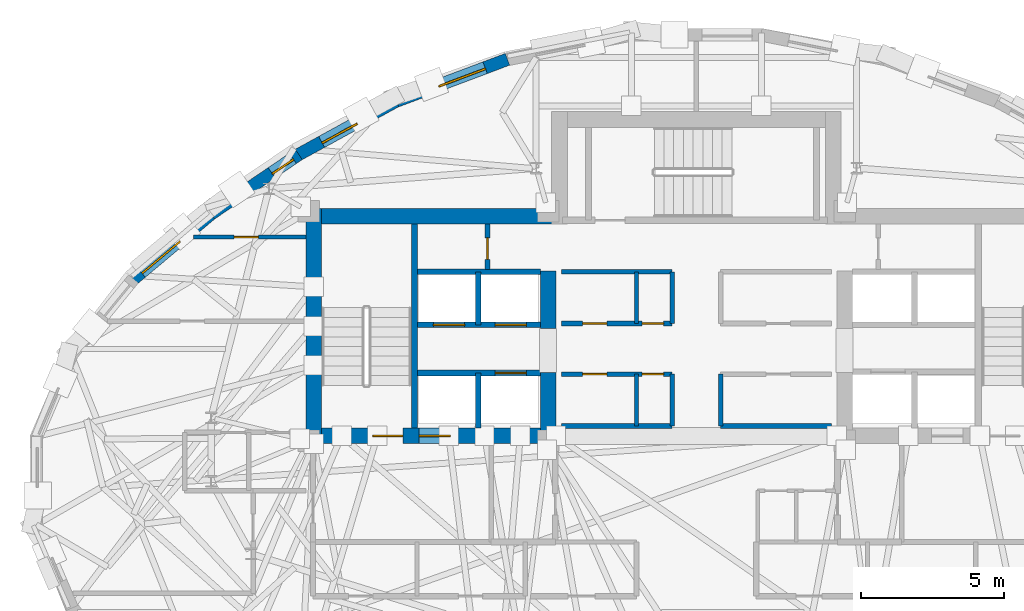
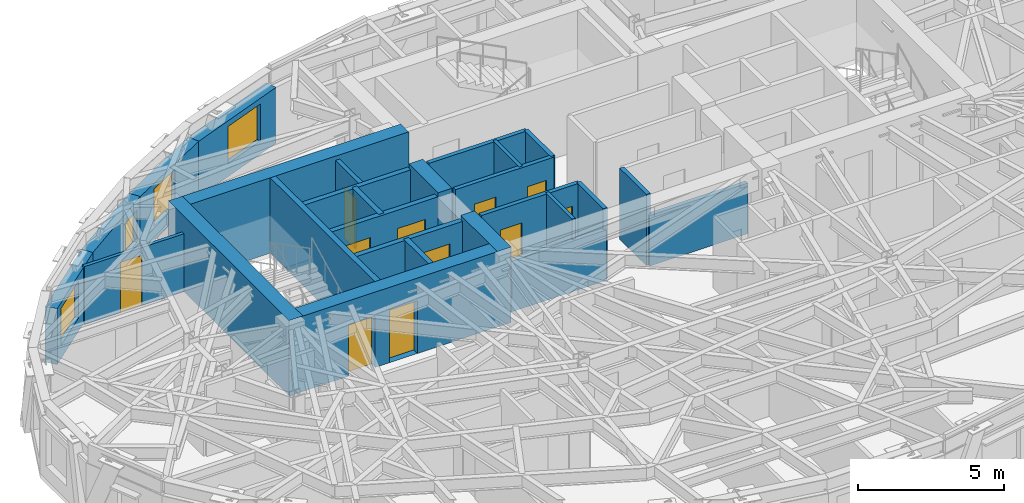
# One storey, part 8 of 14: 27 walls, 11 doors, 4 windows, 15 openings.
"""IFC4 building model written with IfcOpenShell, lengths in metres."""

from ifc_helpers import new_model, si_unit, direction, frame, frame_2d, origin, place, context, subcontext, project, spatial, rectangle, extrude, material, layer, layer_set, type_object, element, fill, save


model = new_model("IFC4")

# Units and contexts
model_context = context("Model", 3, precision=1e-05, world=origin(), true_north=direction((0.0, 1.0)))
body_context = subcontext(model_context, "Body", "Model", "MODEL_VIEW")
ifc_project = project(units=[si_unit("LENGTHUNIT", "METRE"), si_unit("AREAUNIT", "SQUARE_METRE"), si_unit("VOLUMEUNIT", "CUBIC_METRE"), si_unit("PLANEANGLEUNIT", "RADIAN"), si_unit("MASSUNIT", "GRAM", prefix="KILO")], contexts=[model_context])

# Site, building, storey
site_placement = place(None, origin())
site = spatial("IfcSite", under=ifc_project, at=site_placement, CompositionType="ELEMENT")
building_placement = place(site_placement, origin())
building = spatial("IfcBuilding", under=site, at=building_placement, Name="Keldmark Tower", CompositionType="ELEMENT")
storey_placement = place(building_placement, frame((0.0, 0.0, 216.300048828125)))
storey = spatial("IfcBuildingStorey", under=building, at=storey_placement, Name="L60", CompositionType="ELEMENT", Elevation=216.300048828125)

# Walls
ifc_material_1 = material(Name="Concrete C50/60", Category="concrete")
ifc_layer_1 = layer(ifc_material_1, 0.550048828125)
ifc_layer_set_1 = layer_set([ifc_layer_1], Name="Concrete C50/60")
wall_type_1 = type_object("IfcWallType", Name="High-Rise Core Shear Wall 550 mm", PredefinedType="SHEAR", material=ifc_layer_set_1)
wall_1_placement = place(storey_placement, frame((-13.425048828125, 1.300048828125, 0.0), z_axis=(0.0, 0.0, 1.0), x_axis=(0.0, 1.0, 0.0)))
element("IfcWall", 1, at=wall_1_placement, inside=storey, type_object=wall_type_1, Name="L60 West Core Outer Shear Wall", PredefinedType="SHEAR", context=body_context, shape_type="SweptSolid", body=[
    extrude(rectangle(XDim=8.25, YDim=0.550048828125, at=frame_2d((4.125, 0.0))), origin(), (0.0, 0.0, 1.0), 3.14990234375),
])
wall_2_placement = place(storey_placement, frame((-13.699951171875, 9.27490234375, 0.0), z_axis=(0.0, 0.0, 1.0), x_axis=(1.0, 0.0, 0.0)))
element("IfcWall", 2, at=wall_2_placement, inside=storey, type_object=wall_type_1, Name="L60 West Core North Shear Wall", PredefinedType="SHEAR", context=body_context, shape_type="SweptSolid", body=[
    extrude(rectangle(XDim=9.175048828125, YDim=0.550048828125, at=frame_2d((4.58740234375, 0.0))), origin(), (0.0, 0.0, 1.0), 3.14990234375),
])

# Wall, openings, doors
wall_3_placement = place(storey_placement, frame((-4.925048828125, 1.574951171875, 0.0), z_axis=(0.0, 0.0, 1.0), x_axis=(-1.0, 0.0, 0.0)))
wall_3 = element("IfcWall", 3, at=wall_3_placement, inside=storey, type_object=wall_type_1, Name="L60 West Core South Shear Wall", PredefinedType="SHEAR", context=body_context, shape_type="SweptSolid", body=[
    extrude(rectangle(XDim=8.77490234375, YDim=0.550048828125, at=frame_2d((4.387451171875, 0.0))), origin(), (0.0, 0.0, 1.0), 3.14990234375),
])
opening_1_placement = place(wall_3_placement, frame((5.375, 0.0, 0.0)))
opening_1 = element("IfcOpeningElement", 4, at=opening_1_placement, cuts=wall_3, Name="Opening D-ST105", PredefinedType="OPENING", context=body_context, shape_type="SweptSolid", body=[
    extrude(rectangle(XDim=1.050048828125, YDim=2.14990234375, at=frame_2d((0.52490234375, 1.074951171875))), frame((0.0, 0.284912109375, 0.0), z_axis=(0.0, -1.0, 0.0), x_axis=(1.0, 0.0, 0.0)), (0.0, 0.0, 1.0), 0.570068359375),
])
opening_2_placement = place(wall_3_placement, frame((3.705078125, 0.0, 0.0)))
opening_2 = element("IfcOpeningElement", 5, at=opening_2_placement, cuts=wall_3, Name="Opening LD-110", PredefinedType="OPENING", context=body_context, shape_type="SweptSolid", body=[
    extrude(rectangle(XDim=1.10009765625, YDim=2.199951171875, at=frame_2d((0.550048828125, 1.10009765625))), frame((0.0, 0.284912109375, 0.0), z_axis=(0.0, -1.0, 0.0), x_axis=(1.0, 0.0, 0.0)), (0.0, 0.0, 1.0), 0.570068359375),
])
ifc_material_2 = material(Name="Brushed Bronze Hoistway Sliding Leaf", Category="metal")
door_type_1 = type_object("IfcDoorType", Name="Lift Landing Sliding Door 1100x2200", OperationType="SLIDING_TO_LEFT", PredefinedType="DOOR", material=ifc_material_2)
door_1_placement = place(opening_2_placement, origin())
door_1 = element("IfcDoor", 6, at=door_1_placement, inside=storey, type_object=door_type_1, Name="L60 Lift Landing Sliding Door 1100x2200 LD-EL-FS1-L60", OperationType="SLIDING_TO_LEFT", OverallHeight=2.199951171875, OverallWidth=1.10009765625, PredefinedType="DOOR", context=body_context, shape_type="SweptSolid", body=[
    extrude(rectangle(XDim=1.10009765625, YDim=2.199951171875, at=frame_2d((0.550048828125, 1.10009765625))), frame((0.0, 0.02490234375, 0.0), z_axis=(0.0, -1.0, 0.0), x_axis=(1.0, 0.0, 0.0)), (0.0, 0.0, 1.0), 0.050048828125),
])
fill(opening_2, door_1)
ifc_material_3 = material(Name="Hollow Metal Fire-Rated Door Assembly", Category="metal")
door_type_2 = type_object("IfcDoorType", Name="Stair Fire Door 1050x2150", OperationType="NOTDEFINED", PredefinedType="DOOR", material=ifc_material_3)
door_2_placement = place(opening_1_placement, origin())
door_2 = element("IfcDoor", 7, at=door_2_placement, inside=storey, type_object=door_type_2, Name="L60 Stair Fire Door 1050x2150 D-ST1-L60", OperationType="SINGLE_SWING_RIGHT", OverallHeight=2.14990234375, OverallWidth=1.050048828125, PredefinedType="DOOR", context=body_context, shape_type="SweptSolid", body=[
    extrude(rectangle(XDim=1.050048828125, YDim=2.14990234375, at=frame_2d((0.52490234375, 1.074951171875))), frame((0.0, 0.02490234375, 0.0), z_axis=(0.0, -1.0, 0.0), x_axis=(1.0, 0.0, 0.0)), (0.0, 0.0, 1.0), 0.050048828125),
])
fill(opening_1, door_2)

# Walls
wall_4_placement = place(storey_placement, frame((-5.199951171875, 1.300048828125, 0.0), z_axis=(0.0, 0.0, 1.0), x_axis=(0.0, 1.0, 0.0)))
element("IfcWall", 8, at=wall_4_placement, inside=storey, type_object=wall_type_1, Name="L60 West Core Inner Shear Pier South", PredefinedType="SHEAR", context=body_context, shape_type="SweptSolid", body=[
    extrude(rectangle(XDim=2.5, YDim=0.550048828125, at=frame_2d((1.25, 0.0))), origin(), (0.0, 0.0, 1.0), 3.14990234375),
])
wall_5_placement = place(storey_placement, frame((-5.199951171875, 5.35009765625, 0.0), z_axis=(0.0, 0.0, 1.0), x_axis=(0.0, 1.0, 0.0)))
element("IfcWall", 9, at=wall_5_placement, inside=storey, type_object=wall_type_1, Name="L60 West Core Inner Shear Pier North", PredefinedType="SHEAR", context=body_context, shape_type="SweptSolid", body=[
    extrude(rectangle(XDim=2.0, YDim=0.550048828125, at=frame_2d((1.0, 0.0))), origin(), (0.0, 0.0, 1.0), 3.14990234375),
])
ifc_material_4 = material(Name="Acoustic Gypsum Board Interior Partition", Category="gypsum")
ifc_layer_2 = layer(ifc_material_4, 0.1298828125)
ifc_layer_set_2 = layer_set([ifc_layer_2], Name="Acoustic Gypsum Board Interior Partition")
wall_type_2 = type_object("IfcWallType", Name="Interior Partition 130 mm", PredefinedType="PARTITIONING", material=ifc_layer_set_2)
wall_6_placement = place(storey_placement, frame((-2.10009765625, 1.919921875, 0.0), z_axis=(0.0, 0.0, 1.0), x_axis=(0.0, 1.0, 0.0)))
element("IfcWall", 10, at=wall_6_placement, inside=storey, type_object=wall_type_2, Name="L60 Interior Partition 130 mm REC-LW-M", PredefinedType="PARTITIONING", context=body_context, shape_type="SweptSolid", body=[
    extrude(rectangle(XDim=1.820068359375, YDim=0.1298828125, at=frame_2d((0.91015625, 0.0))), origin(), (0.0, 0.0, 1.0), 2.969970703125),
])
wall_7_placement = place(storey_placement, frame((-2.10009765625, 5.52001953125, 0.0), z_axis=(0.0, 0.0, 1.0), x_axis=(0.0, 1.0, 0.0)))
element("IfcWall", 11, at=wall_7_placement, inside=storey, type_object=wall_type_2, Name="L60 Interior Partition 130 mm REC-MW-M", PredefinedType="PARTITIONING", context=body_context, shape_type="SweptSolid", body=[
    extrude(rectangle(XDim=1.81005859375, YDim=0.1298828125, at=frame_2d((0.905029296875, 0.0))), origin(), (0.0, 0.0, 1.0), 2.969970703125),
])

# Wall, opening, door
wall_8_placement = place(storey_placement, frame((-17.6357421875, 8.550048828125, 0.0), z_axis=(0.0, 0.0, 1.0), x_axis=(1.0, 0.0, 0.0)))
wall_8 = element("IfcWall", 12, at=wall_8_placement, inside=storey, type_object=wall_type_2, Name="L60 Interior Partition 130 mm UC-NDIV2", PredefinedType="PARTITIONING", context=body_context, shape_type="SweptSolid", body=[
    extrude(rectangle(XDim=3.935791015625, YDim=0.1298828125, at=frame_2d((1.9677734375, 0.0))), origin(), (0.0, 0.0, 1.0), 2.4228515625),
])
opening_3_placement = place(wall_8_placement, frame((1.422607421875, 0.0, 0.0)))
opening_3 = element("IfcOpeningElement", 13, at=opening_3_placement, cuts=wall_8, Name="Opening D-IN085", PredefinedType="OPENING", context=body_context, shape_type="SweptSolid", body=[
    extrude(rectangle(XDim=0.85009765625, YDim=2.10009765625, at=frame_2d((0.425048828125, 1.050048828125))), frame((0.0, 0.074951171875, 0.0), z_axis=(0.0, -1.0, 0.0), x_axis=(1.0, 0.0, 0.0)), (0.0, 0.0, 1.0), 0.14990234375),
])
ifc_material_5 = material(Name="Painted Architectural Wood", Category="wood")
door_type_3 = type_object("IfcDoorType", Name="Interior Door 850x2100", OperationType="NOTDEFINED", PredefinedType="DOOR", material=ifc_material_5)
door_3_placement = place(opening_3_placement, origin())
door_3 = element("IfcDoor", 14, at=door_3_placement, inside=storey, type_object=door_type_3, Name="L60 Interior Door 850x2100 D-UC-BR2-L60", OperationType="SINGLE_SWING_RIGHT", OverallHeight=2.10009765625, OverallWidth=0.85009765625, PredefinedType="DOOR", context=body_context, shape_type="SweptSolid", body=[
    extrude(rectangle(XDim=0.85009765625, YDim=2.10009765625, at=frame_2d((0.425048828125, 1.050048828125))), frame((0.0, 0.02490234375, 0.0), z_axis=(0.0, -1.0, 0.0), x_axis=(1.0, 0.0, 0.0)), (0.0, 0.0, 1.0), 0.050048828125),
])
fill(opening_3, door_3)

# Wall
ifc_material_6 = material(Name="Type X Fire-Rated Gypsum Partition Assembly", Category="gypsum")
ifc_layer_3 = layer(ifc_material_6, 0.1650390625)
ifc_layer_set_3 = layer_set([ifc_layer_3], Name="Type X Fire-Rated Gypsum Partition Assembly")
wall_type_3 = type_object("IfcWallType", Name="Rated Partition 165 mm", PredefinedType="PARTITIONING", material=ifc_layer_set_3)
wall_9_placement = place(storey_placement, frame((-4.739990234375, 1.919921875, 0.0), z_axis=(0.0, 0.0, 1.0), x_axis=(1.0, 0.0, 0.0)))
element("IfcWall", 15, at=wall_9_placement, inside=storey, type_object=wall_type_3, Name="L60 Rated Partition 165 mm REC-LW-S", PredefinedType="PARTITIONING", context=body_context, shape_type="SweptSolid", body=[
    extrude(rectangle(XDim=3.889892578125, YDim=0.1650390625, at=frame_2d((1.94482421875, 0.0))), origin(), (0.0, 0.0, 1.0), 2.10986328125),
])

# Wall, openings, doors
wall_10_placement = place(storey_placement, frame((-4.739990234375, 3.739990234375, 0.0), z_axis=(0.0, 0.0, 1.0), x_axis=(1.0, 0.0, 0.0)))
wall_10 = element("IfcWall", 16, at=wall_10_placement, inside=storey, type_object=wall_type_3, Name="L60 Rated Partition 165 mm REC-LW-N", PredefinedType="PARTITIONING", context=body_context, shape_type="SweptSolid", body=[
    extrude(rectangle(XDim=3.889892578125, YDim=0.1650390625, at=frame_2d((1.94482421875, 0.0))), origin(), (0.0, 0.0, 1.0), 2.969970703125),
])
opening_4_placement = place(wall_10_placement, frame((0.75, 0.0, 0.0)))
opening_4 = element("IfcOpeningElement", 17, at=opening_4_placement, cuts=wall_10, Name="Opening D-SV085", PredefinedType="OPENING", context=body_context, shape_type="SweptSolid", body=[
    extrude(rectangle(XDim=0.85009765625, YDim=2.10009765625, at=frame_2d((0.425048828125, 1.050048828125))), frame((0.0, 0.092529296875, 0.0), z_axis=(0.0, -1.0, 0.0), x_axis=(1.0, 0.0, 0.0)), (0.0, 0.0, 1.0), 0.18505859375),
])
opening_5_placement = place(wall_10_placement, frame((2.840087890625, 0.0, 0.0)))
opening_5 = element("IfcOpeningElement", 18, at=opening_5_placement, cuts=wall_10, Name="Opening D-RS075", PredefinedType="OPENING", context=body_context, shape_type="SweptSolid", body=[
    extrude(rectangle(XDim=0.75, YDim=2.10009765625, at=frame_2d((0.375, 1.050048828125))), frame((0.0, 0.092529296875, 0.0), z_axis=(0.0, -1.0, 0.0), x_axis=(1.0, 0.0, 0.0)), (0.0, 0.0, 1.0), 0.18505859375),
])
ifc_material_7 = material(Name="Galvanized Fire-Rated Access Leaf", Category="metal")
door_type_4 = type_object("IfcDoorType", Name="Riser Access Door 750x2100", OperationType="NOTDEFINED", PredefinedType="DOOR", material=ifc_material_7)
door_4_placement = place(opening_5_placement, origin())
door_4 = element("IfcDoor", 19, at=door_4_placement, inside=storey, type_object=door_type_4, Name="L60 Riser Access Door 750x2100 D-RECLW2-L60", OperationType="SINGLE_SWING_RIGHT", OverallHeight=2.10009765625, OverallWidth=0.75, PredefinedType="DOOR", context=body_context, shape_type="SweptSolid", body=[
    extrude(rectangle(XDim=0.75, YDim=2.10009765625, at=frame_2d((0.375, 1.050048828125))), frame((0.0, 0.02490234375, 0.0), z_axis=(0.0, -1.0, 0.0), x_axis=(1.0, 0.0, 0.0)), (0.0, 0.0, 1.0), 0.050048828125),
])
fill(opening_5, door_4)
ifc_material_8 = material(Name="Painted Hollow Metal Door Assembly", Category="metal")
door_type_5 = type_object("IfcDoorType", Name="Service Door 850x2100", OperationType="NOTDEFINED", PredefinedType="DOOR", material=ifc_material_8)
door_5_placement = place(opening_4_placement, origin())
door_5 = element("IfcDoor", 20, at=door_5_placement, inside=storey, type_object=door_type_5, Name="L60 Service Door 850x2100 D-RECLW1-L60", OperationType="SINGLE_SWING_LEFT", OverallHeight=2.10009765625, OverallWidth=0.85009765625, PredefinedType="DOOR", context=body_context, shape_type="SweptSolid", body=[
    extrude(rectangle(XDim=0.85009765625, YDim=2.10009765625, at=frame_2d((0.425048828125, 1.050048828125))), frame((0.0, 0.02490234375, 0.0), z_axis=(0.0, -1.0, 0.0), x_axis=(1.0, 0.0, 0.0)), (0.0, 0.0, 1.0), 0.050048828125),
])
fill(opening_4, door_5)

# Walls
wall_11_placement = place(storey_placement, frame((-0.85009765625, 1.919921875, 0.0), z_axis=(0.0, 0.0, 1.0), x_axis=(0.0, 1.0, 0.0)))
element("IfcWall", 21, at=wall_11_placement, inside=storey, type_object=wall_type_3, Name="L60 Rated Partition 165 mm REC-LW-E", PredefinedType="PARTITIONING", context=body_context, shape_type="SweptSolid", body=[
    extrude(rectangle(XDim=1.820068359375, YDim=0.1650390625, at=frame_2d((0.91015625, 0.0))), origin(), (0.0, 0.0, 1.0), 2.969970703125),
])
wall_12_placement = place(storey_placement, frame((0.85009765625, 1.919921875, 0.0), z_axis=(0.0, 0.0, 1.0), x_axis=(1.0, 0.0, 0.0)))
element("IfcWall", 22, at=wall_12_placement, inside=storey, type_object=wall_type_3, Name="L60 Rated Partition 165 mm REC-LE-S", PredefinedType="PARTITIONING", context=body_context, shape_type="SweptSolid", body=[
    extrude(rectangle(XDim=3.889892578125, YDim=0.1650390625, at=frame_2d((1.94482421875, 0.0))), origin(), (0.0, 0.0, 1.0), 2.10986328125),
])
wall_13_placement = place(storey_placement, frame((0.85009765625, 1.919921875, 0.0), z_axis=(0.0, 0.0, 1.0), x_axis=(0.0, 1.0, 0.0)))
element("IfcWall", 23, at=wall_13_placement, inside=storey, type_object=wall_type_3, Name="L60 Rated Partition 165 mm REC-LE-W", PredefinedType="PARTITIONING", context=body_context, shape_type="SweptSolid", body=[
    extrude(rectangle(XDim=1.820068359375, YDim=0.1650390625, at=frame_2d((0.91015625, 0.0))), origin(), (0.0, 0.0, 1.0), 2.969970703125),
])

# Wall, openings, doors
wall_14_placement = place(storey_placement, frame((-4.739990234375, 5.52001953125, 0.0), z_axis=(0.0, 0.0, 1.0), x_axis=(1.0, 0.0, 0.0)))
wall_14 = element("IfcWall", 24, at=wall_14_placement, inside=storey, type_object=wall_type_3, Name="L60 Rated Partition 165 mm REC-MW-S", PredefinedType="PARTITIONING", context=body_context, shape_type="SweptSolid", body=[
    extrude(rectangle(XDim=3.889892578125, YDim=0.1650390625, at=frame_2d((1.94482421875, 0.0))), origin(), (0.0, 0.0, 1.0), 2.969970703125),
])
opening_6_placement = place(wall_14_placement, frame((0.75, 0.0, 0.0)))
opening_6 = element("IfcOpeningElement", 25, at=opening_6_placement, cuts=wall_14, Name="Opening D-SV085", PredefinedType="OPENING", context=body_context, shape_type="SweptSolid", body=[
    extrude(rectangle(XDim=0.85009765625, YDim=2.10009765625, at=frame_2d((0.425048828125, 1.050048828125))), frame((0.0, 0.092529296875, 0.0), z_axis=(0.0, -1.0, 0.0), x_axis=(1.0, 0.0, 0.0)), (0.0, 0.0, 1.0), 0.18505859375),
])
opening_7_placement = place(wall_14_placement, frame((2.840087890625, 0.0, 0.0)))
opening_7 = element("IfcOpeningElement", 26, at=opening_7_placement, cuts=wall_14, Name="Opening D-RS075", PredefinedType="OPENING", context=body_context, shape_type="SweptSolid", body=[
    extrude(rectangle(XDim=0.75, YDim=2.10009765625, at=frame_2d((0.375, 1.050048828125))), frame((0.0, 0.092529296875, 0.0), z_axis=(0.0, -1.0, 0.0), x_axis=(1.0, 0.0, 0.0)), (0.0, 0.0, 1.0), 0.18505859375),
])
door_6_placement = place(opening_7_placement, origin())
door_6 = element("IfcDoor", 27, at=door_6_placement, inside=storey, type_object=door_type_4, Name="L60 Riser Access Door 750x2100 D-RECMW2-L60", OperationType="SINGLE_SWING_RIGHT", OverallHeight=2.10009765625, OverallWidth=0.75, PredefinedType="DOOR", context=body_context, shape_type="SweptSolid", body=[
    extrude(rectangle(XDim=0.75, YDim=2.10009765625, at=frame_2d((0.375, 1.050048828125))), frame((0.0, 0.02490234375, 0.0), z_axis=(0.0, -1.0, 0.0), x_axis=(1.0, 0.0, 0.0)), (0.0, 0.0, 1.0), 0.050048828125),
])
fill(opening_7, door_6)
door_7_placement = place(opening_6_placement, origin())
door_7 = element("IfcDoor", 28, at=door_7_placement, inside=storey, type_object=door_type_5, Name="L60 Service Door 850x2100 D-RECMW1-L60", OperationType="SINGLE_SWING_LEFT", OverallHeight=2.10009765625, OverallWidth=0.85009765625, PredefinedType="DOOR", context=body_context, shape_type="SweptSolid", body=[
    extrude(rectangle(XDim=0.85009765625, YDim=2.10009765625, at=frame_2d((0.425048828125, 1.050048828125))), frame((0.0, 0.02490234375, 0.0), z_axis=(0.0, -1.0, 0.0), x_axis=(1.0, 0.0, 0.0)), (0.0, 0.0, 1.0), 0.050048828125),
])
fill(opening_6, door_7)

# Walls
wall_15_placement = place(storey_placement, frame((-4.739990234375, 7.330078125, 0.0), z_axis=(0.0, 0.0, 1.0), x_axis=(1.0, 0.0, 0.0)))
element("IfcWall", 29, at=wall_15_placement, inside=storey, type_object=wall_type_3, Name="L60 Rated Partition 165 mm REC-MW-N", PredefinedType="PARTITIONING", context=body_context, shape_type="SweptSolid", body=[
    extrude(rectangle(XDim=3.889892578125, YDim=0.1650390625, at=frame_2d((1.94482421875, 0.0))), origin(), (0.0, 0.0, 1.0), 2.969970703125),
])
wall_16_placement = place(storey_placement, frame((-0.85009765625, 5.52001953125, 0.0), z_axis=(0.0, 0.0, 1.0), x_axis=(0.0, 1.0, 0.0)))
element("IfcWall", 30, at=wall_16_placement, inside=storey, type_object=wall_type_3, Name="L60 Rated Partition 165 mm REC-MW-E", PredefinedType="PARTITIONING", context=body_context, shape_type="SweptSolid", body=[
    extrude(rectangle(XDim=1.81005859375, YDim=0.1650390625, at=frame_2d((0.905029296875, 0.0))), origin(), (0.0, 0.0, 1.0), 2.969970703125),
])

# Wall, opening, door
wall_17_placement = place(storey_placement, frame((-7.330078125, 7.419921875, 0.0), z_axis=(0.0, 0.0, 1.0), x_axis=(0.0, 1.0, 0.0)))
wall_17 = element("IfcWall", 31, at=wall_17_placement, inside=storey, type_object=wall_type_3, Name="L60 Rated Partition 165 mm CS-NW-E", PredefinedType="PARTITIONING", context=body_context, shape_type="SweptSolid", body=[
    extrude(rectangle(XDim=1.580078125, YDim=0.1650390625, at=frame_2d((0.7900390625, 0.0))), origin(), (0.0, 0.0, 1.0), 2.969970703125),
])
opening_8_placement = place(wall_17_placement, frame((0.35009765625, 0.0, 0.0)))
opening_8 = element("IfcOpeningElement", 32, at=opening_8_placement, cuts=wall_17, Name="Opening D-RS075", PredefinedType="OPENING", context=body_context, shape_type="SweptSolid", body=[
    extrude(rectangle(XDim=0.75, YDim=2.10009765625, at=frame_2d((0.375, 1.050048828125))), frame((0.0, 0.092529296875, 0.0), z_axis=(0.0, -1.0, 0.0), x_axis=(1.0, 0.0, 0.0)), (0.0, 0.0, 1.0), 0.18505859375),
])
door_8_placement = place(opening_8_placement, origin())
door_8 = element("IfcDoor", 33, at=door_8_placement, inside=storey, type_object=door_type_4, Name="L60 Riser Access Door 750x2100 D-CSNW1-L60", OperationType="SINGLE_SWING_RIGHT", OverallHeight=2.10009765625, OverallWidth=0.75, PredefinedType="DOOR", context=body_context, shape_type="SweptSolid", body=[
    extrude(rectangle(XDim=0.75, YDim=2.10009765625, at=frame_2d((0.375, 1.050048828125))), frame((0.0, 0.02490234375, 0.0), z_axis=(0.0, -1.0, 0.0), x_axis=(1.0, 0.0, 0.0)), (0.0, 0.0, 1.0), 0.050048828125),
])
fill(opening_8, door_8)

ifc_material_9 = material(Name="Fire-Resistant Type X Gypsum Shaftliner Coreboard", Category="gypsum")
ifc_layer_4 = layer(ifc_material_9, 0.199951171875)
ifc_layer_set_4 = layer_set([ifc_layer_4], Name="Fire-Resistant Type X Gypsum Shaftliner Coreboard")
wall_type_4 = type_object("IfcWallType", Name="Shaft Wall 200 mm", PredefinedType="SOLIDWALL", material=ifc_layer_set_4)
wall_18_placement = place(storey_placement, frame((-9.780029296875, 3.780029296875, 0.0), z_axis=(0.0, 0.0, 1.0), x_axis=(1.0, 0.0, 0.0)))
wall_18 = element("IfcWall", 34, at=wall_18_placement, inside=storey, type_object=wall_type_4, Name="L60 Shaft Wall 200 mm HW-W-S", PredefinedType="SOLIDWALL", context=body_context, shape_type="SweptSolid", body=[
    extrude(rectangle(XDim=4.304931640625, YDim=0.199951171875, at=frame_2d((2.15234375, 0.0))), origin(), (0.0, 0.0, 1.0), 2.969970703125),
])
opening_9_placement = place(wall_18_placement, frame((2.719970703125, 0.0, 0.0)))
opening_9 = element("IfcOpeningElement", 35, at=opening_9_placement, cuts=wall_18, Name="Opening LD-110", PredefinedType="OPENING", context=body_context, shape_type="SweptSolid", body=[
    extrude(rectangle(XDim=1.10009765625, YDim=2.199951171875, at=frame_2d((0.550048828125, 1.10009765625))), frame((0.0, 0.10986328125, 0.0), z_axis=(0.0, -1.0, 0.0), x_axis=(1.0, 0.0, 0.0)), (0.0, 0.0, 1.0), 0.219970703125),
])
door_9_placement = place(opening_9_placement, origin())
door_9 = element("IfcDoor", 36, at=door_9_placement, inside=storey, type_object=door_type_1, Name="L60 Lift Landing Sliding Door 1100x2200 LD-EL-H3-L60", OperationType="SLIDING_TO_LEFT", OverallHeight=2.199951171875, OverallWidth=1.10009765625, PredefinedType="DOOR", context=body_context, shape_type="SweptSolid", body=[
    extrude(rectangle(XDim=1.10009765625, YDim=2.199951171875, at=frame_2d((0.550048828125, 1.10009765625))), frame((0.0, 0.02490234375, 0.0), z_axis=(0.0, -1.0, 0.0), x_axis=(1.0, 0.0, 0.0)), (0.0, 0.0, 1.0), 0.050048828125),
])
fill(opening_9, door_9)

# Wall
wall_19_placement = place(storey_placement, frame((-7.64990234375, 1.85009765625, 0.0), z_axis=(0.0, 0.0, 1.0), x_axis=(0.0, 1.0, 0.0)))
element("IfcWall", 37, at=wall_19_placement, inside=storey, type_object=wall_type_4, Name="L60 Shaft Wall 200 mm HW-W-M", PredefinedType="SOLIDWALL", context=body_context, shape_type="SweptSolid", body=[
    extrude(rectangle(XDim=1.929931640625, YDim=0.199951171875, at=frame_2d((0.96484375, 0.0))), origin(), (0.0, 0.0, 1.0), 2.969970703125),
])

# Wall, openings, doors
wall_20_placement = place(storey_placement, frame((-9.780029296875, 5.469970703125, 0.0), z_axis=(0.0, 0.0, 1.0), x_axis=(1.0, 0.0, 0.0)))
wall_20 = element("IfcWall", 38, at=wall_20_placement, inside=storey, type_object=wall_type_4, Name="L60 Shaft Wall 200 mm HW-W-N", PredefinedType="SOLIDWALL", context=body_context, shape_type="SweptSolid", body=[
    extrude(rectangle(XDim=4.304931640625, YDim=0.199951171875, at=frame_2d((2.15234375, 0.0))), origin(), (0.0, 0.0, 1.0), 2.969970703125),
])
opening_10_placement = place(wall_20_placement, frame((0.550048828125, 0.0, 0.0)))
opening_10 = element("IfcOpeningElement", 39, at=opening_10_placement, cuts=wall_20, Name="Opening LD-110", PredefinedType="OPENING", context=body_context, shape_type="SweptSolid", body=[
    extrude(rectangle(XDim=1.10009765625, YDim=2.199951171875, at=frame_2d((0.550048828125, 1.10009765625))), frame((0.0, 0.10986328125, 0.0), z_axis=(0.0, -1.0, 0.0), x_axis=(1.0, 0.0, 0.0)), (0.0, 0.0, 1.0), 0.219970703125),
])
opening_11_placement = place(wall_20_placement, frame((2.719970703125, 0.0, 0.0)))
opening_11 = element("IfcOpeningElement", 40, at=opening_11_placement, cuts=wall_20, Name="Opening LD-110", PredefinedType="OPENING", context=body_context, shape_type="SweptSolid", body=[
    extrude(rectangle(XDim=1.10009765625, YDim=2.199951171875, at=frame_2d((0.550048828125, 1.10009765625))), frame((0.0, 0.10986328125, 0.0), z_axis=(0.0, -1.0, 0.0), x_axis=(1.0, 0.0, 0.0)), (0.0, 0.0, 1.0), 0.219970703125),
])
door_10_placement = place(opening_10_placement, origin())
door_10 = element("IfcDoor", 41, at=door_10_placement, inside=storey, type_object=door_type_1, Name="L60 Lift Landing Sliding Door 1100x2200 LD-EL-H1-L60", OperationType="SLIDING_TO_LEFT", OverallHeight=2.199951171875, OverallWidth=1.10009765625, PredefinedType="DOOR", context=body_context, shape_type="SweptSolid", body=[
    extrude(rectangle(XDim=1.10009765625, YDim=2.199951171875, at=frame_2d((0.550048828125, 1.10009765625))), frame((0.0, 0.02490234375, 0.0), z_axis=(0.0, -1.0, 0.0), x_axis=(1.0, 0.0, 0.0)), (0.0, 0.0, 1.0), 0.050048828125),
])
fill(opening_10, door_10)
door_11_placement = place(opening_11_placement, origin())
door_11 = element("IfcDoor", 42, at=door_11_placement, inside=storey, type_object=door_type_1, Name="L60 Lift Landing Sliding Door 1100x2200 LD-EL-H2-L60", OperationType="SLIDING_TO_LEFT", OverallHeight=2.199951171875, OverallWidth=1.10009765625, PredefinedType="DOOR", context=body_context, shape_type="SweptSolid", body=[
    extrude(rectangle(XDim=1.10009765625, YDim=2.199951171875, at=frame_2d((0.550048828125, 1.10009765625))), frame((0.0, 0.02490234375, 0.0), z_axis=(0.0, -1.0, 0.0), x_axis=(1.0, 0.0, 0.0)), (0.0, 0.0, 1.0), 0.050048828125),
])
fill(opening_11, door_11)

# Walls
wall_21_placement = place(storey_placement, frame((-9.780029296875, 7.330078125, 0.0), z_axis=(0.0, 0.0, 1.0), x_axis=(1.0, 0.0, 0.0)))
element("IfcWall", 43, at=wall_21_placement, inside=storey, type_object=wall_type_4, Name="L60 Shaft Wall 200 mm HW-W-TOP", PredefinedType="SOLIDWALL", context=body_context, shape_type="SweptSolid", body=[
    extrude(rectangle(XDim=4.304931640625, YDim=0.199951171875, at=frame_2d((2.15234375, 0.0))), origin(), (0.0, 0.0, 1.0), 2.969970703125),
])
wall_22_placement = place(storey_placement, frame((-7.64990234375, 5.469970703125, 0.0), z_axis=(0.0, 0.0, 1.0), x_axis=(0.0, 1.0, 0.0)))
element("IfcWall", 44, at=wall_22_placement, inside=storey, type_object=wall_type_4, Name="L60 Shaft Wall 200 mm HW-W-NM", PredefinedType="SOLIDWALL", context=body_context, shape_type="SweptSolid", body=[
    extrude(rectangle(XDim=1.860107421875, YDim=0.199951171875, at=frame_2d((0.93017578125, 0.0))), origin(), (0.0, 0.0, 1.0), 2.969970703125),
])
ifc_material_10 = material(Name="Concrete C50/60", Category="concrete")
ifc_layer_5 = layer(ifc_material_10, 0.219970703125)
ifc_layer_set_5 = layer_set([ifc_layer_5], Name="Concrete C50/60")
wall_type_5 = type_object("IfcWallType", Name="Stair Core Shear Wall 220 mm", PredefinedType="SHEAR", material=ifc_layer_set_5)
wall_23_placement = place(storey_placement, frame((-9.889892578125, 1.85009765625, 0.0), z_axis=(0.0, 0.0, 1.0), x_axis=(0.0, 1.0, 0.0)))
element("IfcWall", 45, at=wall_23_placement, inside=storey, type_object=wall_type_5, Name="L60 West Stair Core Shear Wall", PredefinedType="SHEAR", context=body_context, shape_type="SweptSolid", body=[
    extrude(rectangle(XDim=7.14990234375, YDim=0.219970703125, at=frame_2d((3.574951171875, 0.0))), origin(), (0.0, 0.0, 1.0), 3.14990234375),
])

# Wall, opening, window
ifc_material_11 = material(Name="Ironspot Manganese Brick and Kasota Buff Limestone Spandrel Assembly", Category="masonry")
ifc_layer_6 = layer(ifc_material_11, 0.43994140625)
ifc_layer_set_6 = layer_set([ifc_layer_6], Name="Ironspot Manganese Brick and Kasota Buff Limestone Spandrel Assembly")
wall_type_6 = type_object("IfcWallType", Name="Tower Brick Pier and Spandrel Wall 440 mm", PredefinedType="STANDARD", material=ifc_layer_set_6)
wall_24_placement = place(storey_placement, frame((-10.568603515625, 13.302490234375, 0.0), z_axis=(0.0, 0.0, 1.0), x_axis=(0.936069207768, 0.351815915314, 0.0)))
wall_24 = element("IfcWall", 46, at=wall_24_placement, inside=storey, type_object=wall_type_6, Name="L60 Exterior Brick and Spandrel Wall 10", PredefinedType="STANDARD", context=body_context, shape_type="SweptSolid", body=[
    extrude(rectangle(XDim=4.2109375, YDim=0.43994140625, at=frame_2d((2.10546875, 0.0))), origin(), (0.0, 0.0, 1.0), 2.3359375),
])
opening_12_placement = place(wall_24_placement, frame((1.623046875, 0.0, 0.550048828125)))
opening_12 = element("IfcOpeningElement", 47, at=opening_12_placement, cuts=wall_24, Name="Opening W-05", PredefinedType="OPENING", context=body_context, shape_type="SweptSolid", body=[
    extrude(rectangle(XDim=1.75, YDim=1.550048828125, at=frame_2d((0.875, 0.77490234375))), frame((0.0, 0.22998046875, 0.0), z_axis=(0.0, -1.0, 0.0), x_axis=(1.0, 0.0, 0.0)), (0.0, 0.0, 1.0), 0.4599609375),
])
ifc_material_12 = material(Name="Thermally Broken Anodized Aluminum and Triple Low-E Argon Glazing", Category="aluminium")
window_type_1 = type_object("IfcWindowType", Name="Residential Deep-Set Window 1750x1550", PartitioningType="DOUBLE_PANEL_VERTICAL", PredefinedType="WINDOW", material=ifc_material_12)
window_1_placement = place(opening_12_placement, origin())
window_1 = element("IfcWindow", 48, at=window_1_placement, inside=storey, type_object=window_type_1, Name="L60 Deep-Set Window 10", OverallHeight=1.550048828125, OverallWidth=1.75, PartitioningType="SINGLE_PANEL", PredefinedType="WINDOW", context=body_context, shape_type="SweptSolid", body=[
    extrude(rectangle(XDim=1.75, YDim=1.550048828125, at=frame_2d((0.875, 0.77490234375))), frame((0.0, -0.010009765625, 0.0), z_axis=(0.0, -1.0, 0.0), x_axis=(1.0, 0.0, 0.0)), (0.0, 0.0, 1.0), 0.06005859375),
])
fill(opening_12, window_1)

wall_25_placement = place(storey_placement, frame((-13.966796875, 11.43701171875, 0.0), z_axis=(0.0, 0.0, 1.0), x_axis=(0.87688122565, 0.480707100117, 0.0)))
wall_25 = element("IfcWall", 49, at=wall_25_placement, inside=storey, type_object=wall_type_6, Name="L60 Exterior Brick and Spandrel Wall 11", PredefinedType="STANDARD", context=body_context, shape_type="SweptSolid", body=[
    extrude(rectangle(XDim=3.90771484375, YDim=0.43994140625, at=frame_2d((1.953857421875, 0.0))), origin(), (0.0, 0.0, 1.0), 2.3359375),
])
opening_13_placement = place(wall_25_placement, frame((0.935302734375, 0.0, 0.550048828125)))
opening_13 = element("IfcOpeningElement", 50, at=opening_13_placement, cuts=wall_25, Name="Opening W-08", PredefinedType="OPENING", context=body_context, shape_type="SweptSolid", body=[
    extrude(rectangle(XDim=1.39990234375, YDim=1.550048828125, at=frame_2d((0.699951171875, 0.77490234375))), frame((0.0, 0.22998046875, 0.0), z_axis=(0.0, -1.0, 0.0), x_axis=(1.0, 0.0, 0.0)), (0.0, 0.0, 1.0), 0.4599609375),
])
ifc_material_13 = material(Name="Thermally Broken Anodized Aluminum and Triple Low-E Argon Glazing", Category="aluminium")
window_type_2 = type_object("IfcWindowType", Name="Residential Corner Punched Window 1400x1550", PartitioningType="SINGLE_PANEL", PredefinedType="WINDOW", material=ifc_material_13)
window_2_placement = place(opening_13_placement, origin())
window_2 = element("IfcWindow", 51, at=window_2_placement, inside=storey, type_object=window_type_2, Name="L60 Deep-Set Window 11", OverallHeight=1.550048828125, OverallWidth=1.39990234375, PartitioningType="SINGLE_PANEL", PredefinedType="WINDOW", context=body_context, shape_type="SweptSolid", body=[
    extrude(rectangle(XDim=1.39990234375, YDim=1.550048828125, at=frame_2d((0.699951171875, 0.77490234375))), frame((0.0, -0.010009765625, 0.0), z_axis=(0.0, -1.0, 0.0), x_axis=(1.0, 0.0, 0.0)), (0.0, 0.0, 1.0), 0.06005859375),
])
fill(opening_13, window_2)

wall_26_placement = place(storey_placement, frame((-17.02392578125, 9.3623046875, 0.0), z_axis=(0.0, 0.0, 1.0), x_axis=(0.827595704154, 0.561324639105, 0.0)))
wall_26 = element("IfcWall", 52, at=wall_26_placement, inside=storey, type_object=wall_type_6, Name="L60 Exterior Brick and Spandrel Wall 12", PredefinedType="STANDARD", context=body_context, shape_type="SweptSolid", body=[
    extrude(rectangle(XDim=3.71533203125, YDim=0.43994140625, at=frame_2d((1.857666015625, 0.0))), origin(), (0.0, 0.0, 1.0), 2.3359375),
])
opening_14_placement = place(wall_26_placement, frame((2.566162109375, 0.0, 0.580078125)))
opening_14 = element("IfcOpeningElement", 53, at=opening_14_placement, cuts=wall_26, Name="Opening W-09", PredefinedType="OPENING", context=body_context, shape_type="SweptSolid", body=[
    extrude(rectangle(XDim=0.89990234375, YDim=1.35009765625, at=frame_2d((0.449951171875, 0.675048828125))), frame((0.0, 0.22998046875, 0.0), z_axis=(0.0, -1.0, 0.0), x_axis=(1.0, 0.0, 0.0)), (0.0, 0.0, 1.0), 0.4599609375),
])
ifc_material_14 = material(Name="Thermally Broken Anodized Aluminum and Triple Low-E Argon Glazing", Category="aluminium")
window_type_3 = type_object("IfcWindowType", Name="Corner Pier Deep-Set Window 900x1350", PartitioningType="SINGLE_PANEL", PredefinedType="WINDOW", material=ifc_material_14)
window_3_placement = place(opening_14_placement, origin())
window_3 = element("IfcWindow", 54, at=window_3_placement, inside=storey, type_object=window_type_3, Name="L60 Deep-Set Window 12", OverallHeight=1.35009765625, OverallWidth=0.89990234375, PartitioningType="SINGLE_PANEL", PredefinedType="WINDOW", context=body_context, shape_type="SweptSolid", body=[
    extrude(rectangle(XDim=0.89990234375, YDim=1.35009765625, at=frame_2d((0.449951171875, 0.675048828125))), frame((0.0, -0.010009765625, 0.0), z_axis=(0.0, -1.0, 0.0), x_axis=(1.0, 0.0, 0.0)), (0.0, 0.0, 1.0), 0.06005859375),
])
fill(opening_14, window_3)

wall_27_placement = place(storey_placement, frame((-19.77587890625, 7.052001953125, 0.0), z_axis=(0.0, 0.0, 1.0), x_axis=(0.766063904081, 0.642764416302, 0.0)))
wall_27 = element("IfcWall", 55, at=wall_27_placement, inside=storey, type_object=wall_type_6, Name="L60 Exterior Brick and Spandrel Wall 13", PredefinedType="STANDARD", context=body_context, shape_type="SweptSolid", body=[
    extrude(rectangle(XDim=3.615478515625, YDim=0.43994140625, at=frame_2d((1.8076171875, 0.0))), origin(), (0.0, 0.0, 1.0), 2.3359375),
])
opening_15_placement = place(wall_27_placement, frame((0.3955078125, 0.0, 0.550048828125)))
opening_15 = element("IfcOpeningElement", 56, at=opening_15_placement, cuts=wall_27, Name="Opening W-05", PredefinedType="OPENING", context=body_context, shape_type="SweptSolid", body=[
    extrude(rectangle(XDim=1.75, YDim=1.550048828125, at=frame_2d((0.875, 0.77490234375))), frame((0.0, 0.22998046875, 0.0), z_axis=(0.0, -1.0, 0.0), x_axis=(1.0, 0.0, 0.0)), (0.0, 0.0, 1.0), 0.4599609375),
])
window_4_placement = place(opening_15_placement, origin())
window_4 = element("IfcWindow", 57, at=window_4_placement, inside=storey, type_object=window_type_1, Name="L60 Deep-Set Window 13", OverallHeight=1.550048828125, OverallWidth=1.75, PartitioningType="SINGLE_PANEL", PredefinedType="WINDOW", context=body_context, shape_type="SweptSolid", body=[
    extrude(rectangle(XDim=1.75, YDim=1.550048828125, at=frame_2d((0.875, 0.77490234375))), frame((0.0, -0.010009765625, 0.0), z_axis=(0.0, -1.0, 0.0), x_axis=(1.0, 0.0, 0.0)), (0.0, 0.0, 1.0), 0.06005859375),
])
fill(opening_15, window_4)

save(model, "model.ifc")
